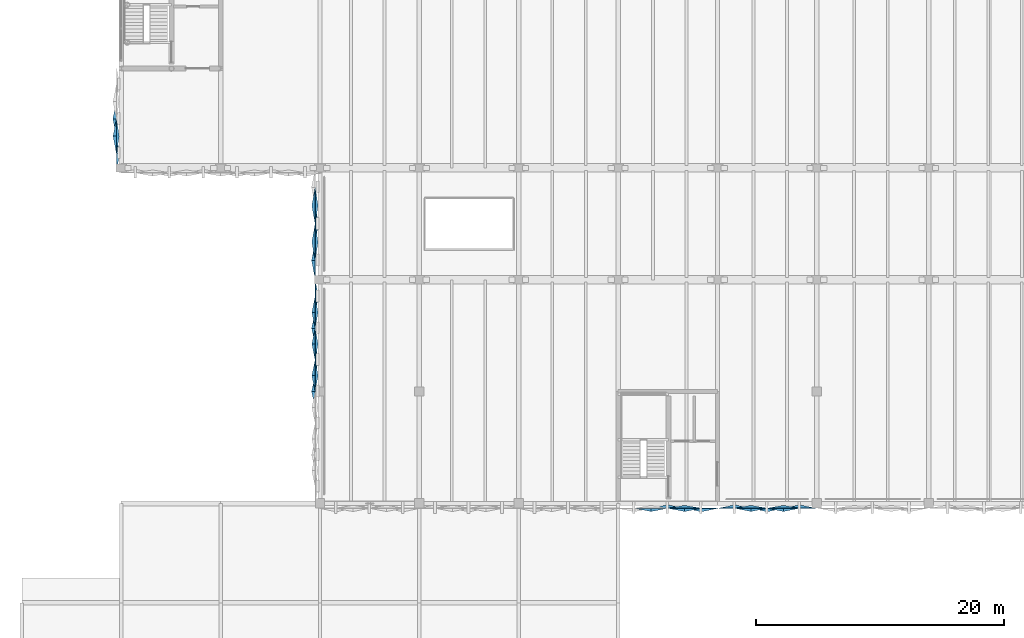
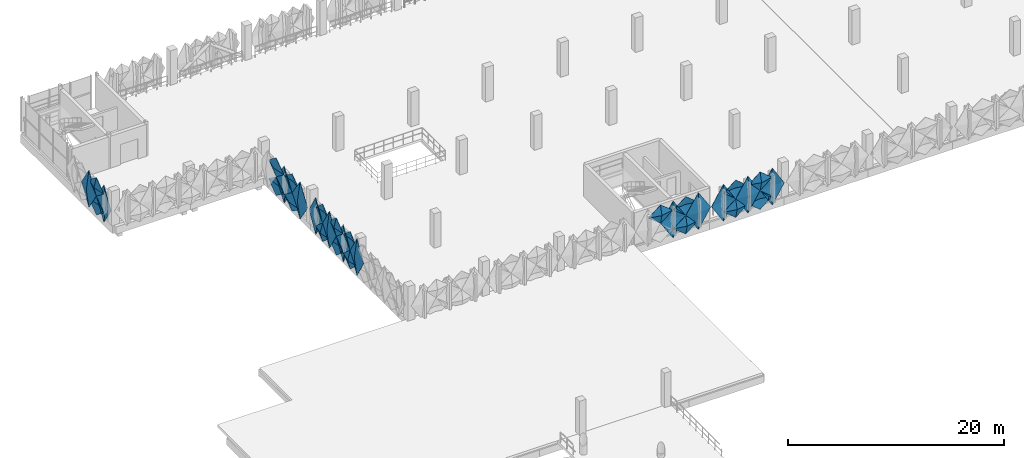
# One storey, part 53 of 76: 32 plates.
"""IFC4 building model written with IfcOpenShell, lengths in metres."""

from ifc_helpers import new_model, si_unit, derived_unit, direction, frame, origin, place, context, subcontext, project, spatial, polygons, material, layer, layer_set, type_object, element, save


model = new_model("IFC4")

# Units and contexts
model_context = context("Model", 3, precision=1e-05, world=origin(), true_north=direction((0.0, 1.0)))
body_context = subcontext(model_context, "Body", "Model", "MODEL_VIEW")
ifc_project = project(units=[si_unit("LENGTHUNIT", "METRE"), si_unit("AREAUNIT", "SQUARE_METRE"), si_unit("VOLUMEUNIT", "CUBIC_METRE"), si_unit("PLANEANGLEUNIT", "RADIAN"), si_unit("MASSUNIT", "GRAM", prefix="KILO"), si_unit("THERMODYNAMICTEMPERATUREUNIT", "KELVIN"), derived_unit("THERMALTRANSMITTANCEUNIT", [(si_unit("POWERUNIT", "WATT"), 1), (si_unit("AREAUNIT", "SQUARE_METRE"), -1), (si_unit("THERMODYNAMICTEMPERATUREUNIT", "KELVIN"), -1)])], contexts=[model_context])

# Site, building, storey
site_placement = place(None, origin())
site = spatial("IfcSite", under=ifc_project, at=site_placement, CompositionType="ELEMENT")
building_placement = place(site_placement, origin())
building = spatial("IfcBuilding", under=site, at=building_placement, Name="Haiyu Intermodal Mobility Hub", CompositionType="ELEMENT")
storey_placement = place(building_placement, frame((0.0, 0.0, 17.300048828125)))
storey = spatial("IfcBuildingStorey", under=building, at=storey_placement, Name="L04", CompositionType="ELEMENT", Elevation=17.300048828125)

# Plates
ifc_material = material(Name="Anodised aluminium 6063-T6", Category="aluminium")
ifc_layer_1 = layer(ifc_material, 0.01806640625)
ifc_layer_set_1 = layer_set([ifc_layer_1], Name="Anodised aluminium 6063-T6")
plate_type_1 = type_object("IfcPlateType", Name="PLT-FC01", PredefinedType="USERDEFINED", material=ifc_layer_set_1)
plate_1_placement = place(storey_placement, origin())
element("IfcPlate", 1, at=plate_1_placement, inside=storey, type_object=plate_type_1, Name="PLT-PYR-0579", ObjectType="FACADE CASSETTE", PredefinedType="USERDEFINED", context=body_context, shape_type="Tessellation", body=[
    polygons([(37.60009765625, 119.37109375, -0.52001953125), (37.60009765625, 118.116943359375, 0.530029296875), (37.60009765625, 119.37109375, 1.579833984375), (37.60009765625, 120.6259765625, 0.530029296875), (37.340087890625, 119.37109375, 0.530029296875), (37.6220703125, 119.37109375, -0.52001953125), (37.6220703125, 118.116943359375, 0.530029296875), (37.6220703125, 119.37109375, 1.579833984375), (37.6220703125, 120.6259765625, 0.530029296875), (37.362060546875, 119.37109375, 0.530029296875)], [[[1, 2, 5]], [[2, 3, 5]], [[3, 4, 5]], [[4, 1, 5]], [[7, 6, 10]], [[8, 7, 10]], [[9, 8, 10]], [[6, 9, 10]], [[1, 6, 7, 2]], [[2, 7, 8, 3]], [[3, 8, 9, 4]], [[4, 9, 6, 1]]], closed=True),
])
plate_2_placement = place(storey_placement, origin())
element("IfcPlate", 2, at=plate_2_placement, inside=storey, type_object=plate_type_1, Name="PLT-PYR-0585", ObjectType="FACADE CASSETTE", PredefinedType="USERDEFINED", context=body_context, shape_type="Tessellation", body=[
    polygons([(37.60009765625, 114.27392578125, -0.52001953125), (37.60009765625, 113.02001953125, 0.530029296875), (37.60009765625, 114.27392578125, 1.579833984375), (37.60009765625, 115.529052734375, 0.530029296875), (37.340087890625, 114.27392578125, 0.530029296875), (37.6220703125, 114.27392578125, -0.52001953125), (37.6220703125, 113.02001953125, 0.530029296875), (37.6220703125, 114.27392578125, 1.579833984375), (37.6220703125, 115.529052734375, 0.530029296875), (37.362060546875, 114.27392578125, 0.530029296875)], [[[1, 2, 5]], [[2, 3, 5]], [[3, 4, 5]], [[4, 1, 5]], [[7, 6, 10]], [[8, 7, 10]], [[9, 8, 10]], [[6, 9, 10]], [[1, 6, 7, 2]], [[2, 7, 8, 3]], [[3, 8, 9, 4]], [[4, 9, 6, 1]]], closed=True),
])
plate_3_placement = place(storey_placement, origin())
element("IfcPlate", 3, at=plate_3_placement, inside=storey, type_object=plate_type_1, Name="PLT-PYR-0641", ObjectType="FACADE CASSETTE", PredefinedType="USERDEFINED", context=body_context, shape_type="Tessellation", body=[
    polygons([(37.60009765625, 125.027099609375, -0.52001953125), (37.60009765625, 123.572998046875, 0.530029296875), (37.60009765625, 125.027099609375, 1.579833984375), (37.60009765625, 126.47998046875, 0.530029296875), (37.340087890625, 125.027099609375, 0.530029296875), (37.6220703125, 125.027099609375, -0.52001953125), (37.6220703125, 123.572998046875, 0.530029296875), (37.6220703125, 125.027099609375, 1.579833984375), (37.6220703125, 126.47998046875, 0.530029296875), (37.362060546875, 125.027099609375, 0.530029296875)], [[[1, 2, 5]], [[2, 3, 5]], [[3, 4, 5]], [[4, 1, 5]], [[7, 6, 10]], [[8, 7, 10]], [[9, 8, 10]], [[6, 9, 10]], [[1, 6, 7, 2]], [[2, 7, 8, 3]], [[3, 8, 9, 4]], [[4, 9, 6, 1]]], closed=True),
])
plate_4_placement = place(storey_placement, origin())
element("IfcPlate", 4, at=plate_4_placement, inside=storey, type_object=plate_type_1, Name="PLT-PYR-0769", ObjectType="FACADE CASSETTE", PredefinedType="USERDEFINED", context=body_context, shape_type="Tessellation", body=[
    polygons([(72.693115234375, 103.60009765625, -0.52001953125), (73.97998046875, 103.60009765625, 0.530029296875), (72.693115234375, 103.60009765625, 1.579833984375), (71.406982421875, 103.60009765625, 0.530029296875), (72.693115234375, 103.340087890625, 0.530029296875), (72.693115234375, 103.6220703125, -0.52001953125), (73.97998046875, 103.6220703125, 0.530029296875), (72.693115234375, 103.6220703125, 1.579833984375), (71.406982421875, 103.6220703125, 0.530029296875), (72.693115234375, 103.362060546875, 0.530029296875)], [[[1, 2, 5]], [[2, 3, 5]], [[3, 4, 5]], [[4, 1, 5]], [[7, 6, 10]], [[8, 7, 10]], [[9, 8, 10]], [[6, 9, 10]], [[1, 6, 7, 2]], [[2, 7, 8, 3]], [[3, 8, 9, 4]], [[4, 9, 6, 1]]], closed=True),
])
plate_5_placement = place(storey_placement, origin())
element("IfcPlate", 5, at=plate_5_placement, inside=storey, type_object=plate_type_1, Name="PLT-PYR-2236", ObjectType="FACADE CASSETTE", PredefinedType="USERDEFINED", context=body_context, shape_type="Tessellation", body=[
    polygons([(67.35009765625, 103.60009765625, -0.52001953125), (68.679931640625, 103.60009765625, 0.530029296875), (67.35009765625, 103.60009765625, 1.579833984375), (66.02001953125, 103.60009765625, 0.530029296875), (67.35009765625, 103.340087890625, 0.530029296875), (67.35009765625, 103.6220703125, -0.52001953125), (68.679931640625, 103.6220703125, 0.530029296875), (67.35009765625, 103.6220703125, 1.579833984375), (66.02001953125, 103.6220703125, 0.530029296875), (67.35009765625, 103.362060546875, 0.530029296875)], [[[1, 2, 5]], [[2, 3, 5]], [[3, 4, 5]], [[4, 1, 5]], [[7, 6, 10]], [[8, 7, 10]], [[9, 8, 10]], [[6, 9, 10]], [[1, 6, 7, 2]], [[2, 7, 8, 3]], [[3, 8, 9, 4]], [[4, 9, 6, 1]]], closed=True),
])
ifc_layer_2 = layer(ifc_material, 0.02001953125)
ifc_layer_set_2 = layer_set([ifc_layer_2], Name="Anodised aluminium 6063-T6")
plate_type_2 = type_object("IfcPlateType", Name="PLT-FC02", PredefinedType="USERDEFINED", material=ifc_layer_set_2)
plate_6_placement = place(storey_placement, origin())
element("IfcPlate", 6, at=plate_6_placement, inside=storey, type_object=plate_type_2, Name="PLT-PYR-0578", ObjectType="FACADE CASSETTE", PredefinedType="USERDEFINED", context=body_context, shape_type="Tessellation", body=[
    polygons([(37.60009765625, 120.64599609375, -0.510009765625), (37.60009765625, 119.39111328125, 1.599853515625), (37.60009765625, 120.64599609375, 3.7099609375), (37.60009765625, 121.89990234375, 1.599853515625), (37.860107421875, 120.64599609375, 1.599853515625), (37.6220703125, 120.64599609375, -0.510009765625), (37.6220703125, 119.39111328125, 1.599853515625), (37.6220703125, 120.64599609375, 3.7099609375), (37.6220703125, 121.89990234375, 1.599853515625), (37.882080078125, 120.64599609375, 1.599853515625)], [[[1, 2, 5]], [[2, 3, 5]], [[3, 4, 5]], [[4, 1, 5]], [[7, 6, 10]], [[8, 7, 10]], [[9, 8, 10]], [[6, 9, 10]], [[1, 6, 7, 2]], [[2, 7, 8, 3]], [[3, 8, 9, 4]], [[4, 9, 6, 1]]], closed=True),
])
plate_7_placement = place(storey_placement, origin())
element("IfcPlate", 7, at=plate_7_placement, inside=storey, type_object=plate_type_2, Name="PLT-PYR-0582", ObjectType="FACADE CASSETTE", PredefinedType="USERDEFINED", context=body_context, shape_type="Tessellation", body=[
    polygons([(37.60009765625, 116.822998046875, -0.52001953125), (37.60009765625, 115.569091796875, 0.530029296875), (37.60009765625, 116.822998046875, 1.579833984375), (37.60009765625, 118.076904296875, 0.530029296875), (37.820068359375, 116.822998046875, 0.530029296875), (37.6220703125, 116.822998046875, -0.52001953125), (37.6220703125, 115.569091796875, 0.530029296875), (37.6220703125, 116.822998046875, 1.579833984375), (37.6220703125, 118.076904296875, 0.530029296875), (37.842041015625, 116.822998046875, 0.530029296875)], [[[1, 2, 5]], [[2, 3, 5]], [[3, 4, 5]], [[4, 1, 5]], [[7, 6, 10]], [[8, 7, 10]], [[9, 8, 10]], [[6, 9, 10]], [[1, 6, 7, 2]], [[2, 7, 8, 3]], [[3, 8, 9, 4]], [[4, 9, 6, 1]]], closed=True),
])
plate_8_placement = place(storey_placement, origin())
element("IfcPlate", 8, at=plate_8_placement, inside=storey, type_object=plate_type_2, Name="PLT-PYR-0638", ObjectType="FACADE CASSETTE", PredefinedType="USERDEFINED", context=body_context, shape_type="Tessellation", body=[
    polygons([(37.60009765625, 127.972900390625, -0.52001953125), (37.60009765625, 126.52001953125, 0.530029296875), (37.60009765625, 127.972900390625, 1.579833984375), (37.60009765625, 129.427001953125, 0.530029296875), (37.820068359375, 127.972900390625, 0.530029296875), (37.6220703125, 127.972900390625, -0.52001953125), (37.6220703125, 126.52001953125, 0.530029296875), (37.6220703125, 127.972900390625, 1.579833984375), (37.6220703125, 129.427001953125, 0.530029296875), (37.842041015625, 127.972900390625, 0.530029296875)], [[[1, 2, 5]], [[2, 3, 5]], [[3, 4, 5]], [[4, 1, 5]], [[7, 6, 10]], [[8, 7, 10]], [[9, 8, 10]], [[6, 9, 10]], [[1, 6, 7, 2]], [[2, 7, 8, 3]], [[3, 8, 9, 4]], [[4, 9, 6, 1]]], closed=True),
])
plate_9_placement = place(storey_placement, origin())
element("IfcPlate", 9, at=plate_9_placement, inside=storey, type_object=plate_type_2, Name="PLT-PYR-0768", ObjectType="FACADE CASSETTE", PredefinedType="USERDEFINED", context=body_context, shape_type="Tessellation", body=[
    polygons([(71.386962890625, 103.60009765625, -0.510009765625), (72.673095703125, 103.60009765625, 1.599853515625), (71.386962890625, 103.60009765625, 3.7099609375), (70.10009765625, 103.60009765625, 1.599853515625), (71.386962890625, 103.860107421875, 1.599853515625), (71.386962890625, 103.6220703125, -0.510009765625), (72.673095703125, 103.6220703125, 1.599853515625), (71.386962890625, 103.6220703125, 3.7099609375), (70.10009765625, 103.6220703125, 1.599853515625), (71.386962890625, 103.882080078125, 1.599853515625)], [[[1, 2, 5]], [[2, 3, 5]], [[3, 4, 5]], [[4, 1, 5]], [[7, 6, 10]], [[8, 7, 10]], [[9, 8, 10]], [[6, 9, 10]], [[1, 6, 7, 2]], [[2, 7, 8, 3]], [[3, 8, 9, 4]], [[4, 9, 6, 1]]], closed=True),
])
plate_10_placement = place(storey_placement, origin())
element("IfcPlate", 10, at=plate_10_placement, inside=storey, type_object=plate_type_2, Name="PLT-PYR-0772", ObjectType="FACADE CASSETTE", PredefinedType="USERDEFINED", context=body_context, shape_type="Tessellation", body=[
    polygons([(75.306884765625, 103.60009765625, -0.52001953125), (76.593017578125, 103.60009765625, 0.530029296875), (75.306884765625, 103.60009765625, 1.579833984375), (74.02001953125, 103.60009765625, 0.530029296875), (75.306884765625, 103.820068359375, 0.530029296875), (75.306884765625, 103.6220703125, -0.52001953125), (76.593017578125, 103.6220703125, 0.530029296875), (75.306884765625, 103.6220703125, 1.579833984375), (74.02001953125, 103.6220703125, 0.530029296875), (75.306884765625, 103.842041015625, 0.530029296875)], [[[1, 2, 5]], [[2, 3, 5]], [[3, 4, 5]], [[4, 1, 5]], [[7, 6, 10]], [[8, 7, 10]], [[9, 8, 10]], [[6, 9, 10]], [[1, 6, 7, 2]], [[2, 7, 8, 3]], [[3, 8, 9, 4]], [[4, 9, 6, 1]]], closed=True),
])
plate_11_placement = place(storey_placement, origin())
element("IfcPlate", 11, at=plate_11_placement, inside=storey, type_object=plate_type_2, Name="PLT-PYR-2313", ObjectType="FACADE CASSETTE", PredefinedType="USERDEFINED", context=body_context, shape_type="Tessellation", body=[
    polygons([(21.60009765625, 133.56689453125, -0.52001953125), (21.60009765625, 132.202880859375, 0.530029296875), (21.60009765625, 133.56689453125, 1.579833984375), (21.60009765625, 134.929931640625, 0.530029296875), (21.820068359375, 133.56689453125, 0.530029296875), (21.6220703125, 133.56689453125, -0.52001953125), (21.6220703125, 132.202880859375, 0.530029296875), (21.6220703125, 133.56689453125, 1.579833984375), (21.6220703125, 134.929931640625, 0.530029296875), (21.842041015625, 133.56689453125, 0.530029296875)], [[[1, 2, 5]], [[2, 3, 5]], [[3, 4, 5]], [[4, 1, 5]], [[7, 6, 10]], [[8, 7, 10]], [[9, 8, 10]], [[6, 9, 10]], [[1, 6, 7, 2]], [[2, 7, 8, 3]], [[3, 8, 9, 4]], [[4, 9, 6, 1]]], closed=True),
])
ifc_layer_3 = layer(ifc_material, 0.01806640625)
ifc_layer_set_3 = layer_set([ifc_layer_3], Name="Anodised aluminium 6063-T6")
plate_type_3 = type_object("IfcPlateType", Name="PLT-FC03", PredefinedType="USERDEFINED", material=ifc_layer_set_3)
plate_12_placement = place(storey_placement, origin())
element("IfcPlate", 12, at=plate_12_placement, inside=storey, type_object=plate_type_3, Name="PLT-PYR-0581", ObjectType="FACADE CASSETTE", PredefinedType="USERDEFINED", context=body_context, shape_type="Tessellation", body=[
    polygons([(37.60009765625, 118.096923828125, -0.510009765625), (37.60009765625, 116.843017578125, 1.599853515625), (37.60009765625, 118.096923828125, 3.7099609375), (37.60009765625, 119.35107421875, 1.599853515625), (37.320068359375, 118.096923828125, 1.599853515625), (37.6220703125, 118.096923828125, -0.510009765625), (37.6220703125, 116.843017578125, 1.599853515625), (37.6220703125, 118.096923828125, 3.7099609375), (37.6220703125, 119.35107421875, 1.599853515625), (37.342041015625, 118.096923828125, 1.599853515625)], [[[1, 2, 5]], [[2, 3, 5]], [[3, 4, 5]], [[4, 1, 5]], [[7, 6, 10]], [[8, 7, 10]], [[9, 8, 10]], [[6, 9, 10]], [[1, 6, 7, 2]], [[2, 7, 8, 3]], [[3, 8, 9, 4]], [[4, 9, 6, 1]]], closed=True),
])
plate_13_placement = place(storey_placement, origin())
element("IfcPlate", 13, at=plate_13_placement, inside=storey, type_object=plate_type_3, Name="PLT-PYR-0583", ObjectType="FACADE CASSETTE", PredefinedType="USERDEFINED", context=body_context, shape_type="Tessellation", body=[
    polygons([(37.60009765625, 116.822998046875, 1.619873046875), (37.60009765625, 115.569091796875, 2.669921875), (37.60009765625, 116.822998046875, 3.719970703125), (37.60009765625, 118.076904296875, 2.669921875), (37.340087890625, 116.822998046875, 2.669921875), (37.6220703125, 116.822998046875, 1.619873046875), (37.6220703125, 115.569091796875, 2.669921875), (37.6220703125, 116.822998046875, 3.719970703125), (37.6220703125, 118.076904296875, 2.669921875), (37.362060546875, 116.822998046875, 2.669921875)], [[[1, 2, 5]], [[2, 3, 5]], [[3, 4, 5]], [[4, 1, 5]], [[7, 6, 10]], [[8, 7, 10]], [[9, 8, 10]], [[6, 9, 10]], [[1, 6, 7, 2]], [[2, 7, 8, 3]], [[3, 8, 9, 4]], [[4, 9, 6, 1]]], closed=True),
])
plate_14_placement = place(storey_placement, origin())
element("IfcPlate", 14, at=plate_14_placement, inside=storey, type_object=plate_type_3, Name="PLT-PYR-0639", ObjectType="FACADE CASSETTE", PredefinedType="USERDEFINED", context=body_context, shape_type="Tessellation", body=[
    polygons([(37.60009765625, 127.972900390625, 1.619873046875), (37.60009765625, 126.52001953125, 2.669921875), (37.60009765625, 127.972900390625, 3.719970703125), (37.60009765625, 129.427001953125, 2.669921875), (37.340087890625, 127.972900390625, 2.669921875), (37.6220703125, 127.972900390625, 1.619873046875), (37.6220703125, 126.52001953125, 2.669921875), (37.6220703125, 127.972900390625, 3.719970703125), (37.6220703125, 129.427001953125, 2.669921875), (37.362060546875, 127.972900390625, 2.669921875)], [[[1, 2, 5]], [[2, 3, 5]], [[3, 4, 5]], [[4, 1, 5]], [[7, 6, 10]], [[8, 7, 10]], [[9, 8, 10]], [[6, 9, 10]], [[1, 6, 7, 2]], [[2, 7, 8, 3]], [[3, 8, 9, 4]], [[4, 9, 6, 1]]], closed=True),
])
plate_15_placement = place(storey_placement, origin())
element("IfcPlate", 15, at=plate_15_placement, inside=storey, type_object=plate_type_3, Name="PLT-PYR-0771", ObjectType="FACADE CASSETTE", PredefinedType="USERDEFINED", context=body_context, shape_type="Tessellation", body=[
    polygons([(74.0, 103.60009765625, -0.510009765625), (75.287109375, 103.60009765625, 1.599853515625), (74.0, 103.60009765625, 3.7099609375), (72.712890625, 103.60009765625, 1.599853515625), (74.0, 103.320068359375, 1.599853515625), (74.0, 103.6220703125, -0.510009765625), (75.287109375, 103.6220703125, 1.599853515625), (74.0, 103.6220703125, 3.7099609375), (72.712890625, 103.6220703125, 1.599853515625), (74.0, 103.342041015625, 1.599853515625)], [[[1, 2, 5]], [[2, 3, 5]], [[3, 4, 5]], [[4, 1, 5]], [[7, 6, 10]], [[8, 7, 10]], [[9, 8, 10]], [[6, 9, 10]], [[1, 6, 7, 2]], [[2, 7, 8, 3]], [[3, 8, 9, 4]], [[4, 9, 6, 1]]], closed=True),
])
plate_16_placement = place(storey_placement, origin())
element("IfcPlate", 16, at=plate_16_placement, inside=storey, type_object=plate_type_3, Name="PLT-PYR-0773", ObjectType="FACADE CASSETTE", PredefinedType="USERDEFINED", context=body_context, shape_type="Tessellation", body=[
    polygons([(75.306884765625, 103.60009765625, 1.619873046875), (76.593017578125, 103.60009765625, 2.669921875), (75.306884765625, 103.60009765625, 3.719970703125), (74.02001953125, 103.60009765625, 2.669921875), (75.306884765625, 103.340087890625, 2.669921875), (75.306884765625, 103.6220703125, 1.619873046875), (76.593017578125, 103.6220703125, 2.669921875), (75.306884765625, 103.6220703125, 3.719970703125), (74.02001953125, 103.6220703125, 2.669921875), (75.306884765625, 103.362060546875, 2.669921875)], [[[1, 2, 5]], [[2, 3, 5]], [[3, 4, 5]], [[4, 1, 5]], [[7, 6, 10]], [[8, 7, 10]], [[9, 8, 10]], [[6, 9, 10]], [[1, 6, 7, 2]], [[2, 7, 8, 3]], [[3, 8, 9, 4]], [[4, 9, 6, 1]]], closed=True),
])
plate_17_placement = place(storey_placement, origin())
element("IfcPlate", 17, at=plate_17_placement, inside=storey, type_object=plate_type_3, Name="PLT-PYR-2234", ObjectType="FACADE CASSETTE", PredefinedType="USERDEFINED", context=body_context, shape_type="Tessellation", body=[
    polygons([(64.64990234375, 103.60009765625, 1.619873046875), (65.97998046875, 103.60009765625, 2.669921875), (64.64990234375, 103.60009765625, 3.719970703125), (63.320068359375, 103.60009765625, 2.669921875), (64.64990234375, 103.340087890625, 2.669921875), (64.64990234375, 103.6220703125, 1.619873046875), (65.97998046875, 103.6220703125, 2.669921875), (64.64990234375, 103.6220703125, 3.719970703125), (63.320068359375, 103.6220703125, 2.669921875), (64.64990234375, 103.362060546875, 2.669921875)], [[[1, 2, 5]], [[2, 3, 5]], [[3, 4, 5]], [[4, 1, 5]], [[7, 6, 10]], [[8, 7, 10]], [[9, 8, 10]], [[6, 9, 10]], [[1, 6, 7, 2]], [[2, 7, 8, 3]], [[3, 8, 9, 4]], [[4, 9, 6, 1]]], closed=True),
])
plate_18_placement = place(storey_placement, origin())
element("IfcPlate", 18, at=plate_18_placement, inside=storey, type_object=plate_type_3, Name="PLT-PYR-2312", ObjectType="FACADE CASSETTE", PredefinedType="USERDEFINED", context=body_context, shape_type="Tessellation", body=[
    polygons([(21.60009765625, 134.949951171875, -0.510009765625), (21.60009765625, 133.5869140625, 1.599853515625), (21.60009765625, 134.949951171875, 3.7099609375), (21.60009765625, 136.31298828125, 1.599853515625), (21.320068359375, 134.949951171875, 1.599853515625), (21.6220703125, 134.949951171875, -0.510009765625), (21.6220703125, 133.5869140625, 1.599853515625), (21.6220703125, 134.949951171875, 3.7099609375), (21.6220703125, 136.31298828125, 1.599853515625), (21.342041015625, 134.949951171875, 1.599853515625)], [[[1, 2, 5]], [[2, 3, 5]], [[3, 4, 5]], [[4, 1, 5]], [[7, 6, 10]], [[8, 7, 10]], [[9, 8, 10]], [[6, 9, 10]], [[1, 6, 7, 2]], [[2, 7, 8, 3]], [[3, 8, 9, 4]], [[4, 9, 6, 1]]], closed=True),
])
plate_19_placement = place(storey_placement, origin())
element("IfcPlate", 19, at=plate_19_placement, inside=storey, type_object=plate_type_3, Name="PLT-PYR-2314", ObjectType="FACADE CASSETTE", PredefinedType="USERDEFINED", context=body_context, shape_type="Tessellation", body=[
    polygons([(21.60009765625, 133.56689453125, 1.619873046875), (21.60009765625, 132.202880859375, 2.669921875), (21.60009765625, 133.56689453125, 3.719970703125), (21.60009765625, 134.929931640625, 2.669921875), (21.340087890625, 133.56689453125, 2.669921875), (21.6220703125, 133.56689453125, 1.619873046875), (21.6220703125, 132.202880859375, 2.669921875), (21.6220703125, 133.56689453125, 3.719970703125), (21.6220703125, 134.929931640625, 2.669921875), (21.362060546875, 133.56689453125, 2.669921875)], [[[1, 2, 5]], [[2, 3, 5]], [[3, 4, 5]], [[4, 1, 5]], [[7, 6, 10]], [[8, 7, 10]], [[9, 8, 10]], [[6, 9, 10]], [[1, 6, 7, 2]], [[2, 7, 8, 3]], [[3, 8, 9, 4]], [[4, 9, 6, 1]]], closed=True),
])
ifc_layer_4 = layer(ifc_material, 0.02001953125)
ifc_layer_set_4 = layer_set([ifc_layer_4], Name="Anodised aluminium 6063-T6")
plate_type_4 = type_object("IfcPlateType", Name="PLT-FC04", PredefinedType="USERDEFINED", material=ifc_layer_set_4)
plate_20_placement = place(storey_placement, origin())
element("IfcPlate", 20, at=plate_20_placement, inside=storey, type_object=plate_type_4, Name="PLT-PYR-0580", ObjectType="FACADE CASSETTE", PredefinedType="USERDEFINED", context=body_context, shape_type="Tessellation", body=[
    polygons([(37.60009765625, 119.37109375, 1.619873046875), (37.60009765625, 118.116943359375, 2.669921875), (37.60009765625, 119.37109375, 3.719970703125), (37.60009765625, 120.6259765625, 2.669921875), (37.820068359375, 119.37109375, 2.669921875), (37.6220703125, 119.37109375, 1.619873046875), (37.6220703125, 118.116943359375, 2.669921875), (37.6220703125, 119.37109375, 3.719970703125), (37.6220703125, 120.6259765625, 2.669921875), (37.842041015625, 119.37109375, 2.669921875)], [[[1, 2, 5]], [[2, 3, 5]], [[3, 4, 5]], [[4, 1, 5]], [[7, 6, 10]], [[8, 7, 10]], [[9, 8, 10]], [[6, 9, 10]], [[1, 6, 7, 2]], [[2, 7, 8, 3]], [[3, 8, 9, 4]], [[4, 9, 6, 1]]], closed=True),
])
plate_21_placement = place(storey_placement, origin())
element("IfcPlate", 21, at=plate_21_placement, inside=storey, type_object=plate_type_4, Name="PLT-PYR-0586", ObjectType="FACADE CASSETTE", PredefinedType="USERDEFINED", context=body_context, shape_type="Tessellation", body=[
    polygons([(37.60009765625, 114.27392578125, 1.619873046875), (37.60009765625, 113.02001953125, 2.669921875), (37.60009765625, 114.27392578125, 3.719970703125), (37.60009765625, 115.529052734375, 2.669921875), (37.820068359375, 114.27392578125, 2.669921875), (37.6220703125, 114.27392578125, 1.619873046875), (37.6220703125, 113.02001953125, 2.669921875), (37.6220703125, 114.27392578125, 3.719970703125), (37.6220703125, 115.529052734375, 2.669921875), (37.842041015625, 114.27392578125, 2.669921875)], [[[1, 2, 5]], [[2, 3, 5]], [[3, 4, 5]], [[4, 1, 5]], [[7, 6, 10]], [[8, 7, 10]], [[9, 8, 10]], [[6, 9, 10]], [[1, 6, 7, 2]], [[2, 7, 8, 3]], [[3, 8, 9, 4]], [[4, 9, 6, 1]]], closed=True),
])
plate_22_placement = place(storey_placement, origin())
element("IfcPlate", 22, at=plate_22_placement, inside=storey, type_object=plate_type_4, Name="PLT-PYR-0640", ObjectType="FACADE CASSETTE", PredefinedType="USERDEFINED", context=body_context, shape_type="Tessellation", body=[
    polygons([(37.60009765625, 126.5, -0.510009765625), (37.60009765625, 125.047119140625, 1.599853515625), (37.60009765625, 126.5, 3.7099609375), (37.60009765625, 127.952880859375, 1.599853515625), (37.860107421875, 126.5, 1.599853515625), (37.6220703125, 126.5, -0.510009765625), (37.6220703125, 125.047119140625, 1.599853515625), (37.6220703125, 126.5, 3.7099609375), (37.6220703125, 127.952880859375, 1.599853515625), (37.882080078125, 126.5, 1.599853515625)], [[[1, 2, 5]], [[2, 3, 5]], [[3, 4, 5]], [[4, 1, 5]], [[7, 6, 10]], [[8, 7, 10]], [[9, 8, 10]], [[6, 9, 10]], [[1, 6, 7, 2]], [[2, 7, 8, 3]], [[3, 8, 9, 4]], [[4, 9, 6, 1]]], closed=True),
])
plate_23_placement = place(storey_placement, origin())
element("IfcPlate", 23, at=plate_23_placement, inside=storey, type_object=plate_type_4, Name="PLT-PYR-0642", ObjectType="FACADE CASSETTE", PredefinedType="USERDEFINED", context=body_context, shape_type="Tessellation", body=[
    polygons([(37.60009765625, 125.027099609375, 1.619873046875), (37.60009765625, 123.572998046875, 2.669921875), (37.60009765625, 125.027099609375, 3.719970703125), (37.60009765625, 126.47998046875, 2.669921875), (37.820068359375, 125.027099609375, 2.669921875), (37.6220703125, 125.027099609375, 1.619873046875), (37.6220703125, 123.572998046875, 2.669921875), (37.6220703125, 125.027099609375, 3.719970703125), (37.6220703125, 126.47998046875, 2.669921875), (37.842041015625, 125.027099609375, 2.669921875)], [[[1, 2, 5]], [[2, 3, 5]], [[3, 4, 5]], [[4, 1, 5]], [[7, 6, 10]], [[8, 7, 10]], [[9, 8, 10]], [[6, 9, 10]], [[1, 6, 7, 2]], [[2, 7, 8, 3]], [[3, 8, 9, 4]], [[4, 9, 6, 1]]], closed=True),
])
plate_24_placement = place(storey_placement, origin())
element("IfcPlate", 24, at=plate_24_placement, inside=storey, type_object=plate_type_4, Name="PLT-PYR-0770", ObjectType="FACADE CASSETTE", PredefinedType="USERDEFINED", context=body_context, shape_type="Tessellation", body=[
    polygons([(72.693115234375, 103.60009765625, 1.619873046875), (73.97998046875, 103.60009765625, 2.669921875), (72.693115234375, 103.60009765625, 3.719970703125), (71.406982421875, 103.60009765625, 2.669921875), (72.693115234375, 103.820068359375, 2.669921875), (72.693115234375, 103.6220703125, 1.619873046875), (73.97998046875, 103.6220703125, 2.669921875), (72.693115234375, 103.6220703125, 3.719970703125), (71.406982421875, 103.6220703125, 2.669921875), (72.693115234375, 103.842041015625, 2.669921875)], [[[1, 2, 5]], [[2, 3, 5]], [[3, 4, 5]], [[4, 1, 5]], [[7, 6, 10]], [[8, 7, 10]], [[9, 8, 10]], [[6, 9, 10]], [[1, 6, 7, 2]], [[2, 7, 8, 3]], [[3, 8, 9, 4]], [[4, 9, 6, 1]]], closed=True),
])
plate_25_placement = place(storey_placement, origin())
element("IfcPlate", 25, at=plate_25_placement, inside=storey, type_object=plate_type_4, Name="PLT-PYR-2235", ObjectType="FACADE CASSETTE", PredefinedType="USERDEFINED", context=body_context, shape_type="Tessellation", body=[
    polygons([(66.0, 103.60009765625, -0.510009765625), (67.330078125, 103.60009765625, 1.599853515625), (66.0, 103.60009765625, 3.7099609375), (64.669921875, 103.60009765625, 1.599853515625), (66.0, 103.860107421875, 1.599853515625), (66.0, 103.6220703125, -0.510009765625), (67.330078125, 103.6220703125, 1.599853515625), (66.0, 103.6220703125, 3.7099609375), (64.669921875, 103.6220703125, 1.599853515625), (66.0, 103.882080078125, 1.599853515625)], [[[1, 2, 5]], [[2, 3, 5]], [[3, 4, 5]], [[4, 1, 5]], [[7, 6, 10]], [[8, 7, 10]], [[9, 8, 10]], [[6, 9, 10]], [[1, 6, 7, 2]], [[2, 7, 8, 3]], [[3, 8, 9, 4]], [[4, 9, 6, 1]]], closed=True),
])
plate_26_placement = place(storey_placement, origin())
element("IfcPlate", 26, at=plate_26_placement, inside=storey, type_object=plate_type_4, Name="PLT-PYR-2237", ObjectType="FACADE CASSETTE", PredefinedType="USERDEFINED", context=body_context, shape_type="Tessellation", body=[
    polygons([(67.35009765625, 103.60009765625, 1.619873046875), (68.679931640625, 103.60009765625, 2.669921875), (67.35009765625, 103.60009765625, 3.719970703125), (66.02001953125, 103.60009765625, 2.669921875), (67.35009765625, 103.820068359375, 2.669921875), (67.35009765625, 103.6220703125, 1.619873046875), (68.679931640625, 103.6220703125, 2.669921875), (67.35009765625, 103.6220703125, 3.719970703125), (66.02001953125, 103.6220703125, 2.669921875), (67.35009765625, 103.842041015625, 2.669921875)], [[[1, 2, 5]], [[2, 3, 5]], [[3, 4, 5]], [[4, 1, 5]], [[7, 6, 10]], [[8, 7, 10]], [[9, 8, 10]], [[6, 9, 10]], [[1, 6, 7, 2]], [[2, 7, 8, 3]], [[3, 8, 9, 4]], [[4, 9, 6, 1]]], closed=True),
])
ifc_layer_5 = layer(ifc_material, 0.01806640625)
ifc_layer_set_5 = layer_set([ifc_layer_5], Name="Anodised aluminium 6063-T6")
plate_type_5 = type_object("IfcPlateType", Name="PLT-FC05", PredefinedType="USERDEFINED", material=ifc_layer_set_5)
plate_27_placement = place(storey_placement, origin())
element("IfcPlate", 27, at=plate_27_placement, inside=storey, type_object=plate_type_5, Name="PLT-PYR-0643", ObjectType="FACADE CASSETTE", PredefinedType="USERDEFINED", context=body_context, shape_type="Tessellation", body=[
    polygons([(37.60009765625, 123.552978515625, -0.510009765625), (37.60009765625, 122.10009765625, 1.599853515625), (37.60009765625, 123.552978515625, 3.7099609375), (37.60009765625, 125.007080078125, 1.599853515625), (37.320068359375, 123.552978515625, 1.599853515625), (37.6220703125, 123.552978515625, -0.510009765625), (37.6220703125, 122.10009765625, 1.599853515625), (37.6220703125, 123.552978515625, 3.7099609375), (37.6220703125, 125.007080078125, 1.599853515625), (37.342041015625, 123.552978515625, 1.599853515625)], [[[1, 2, 5]], [[2, 3, 5]], [[3, 4, 5]], [[4, 1, 5]], [[7, 6, 10]], [[8, 7, 10]], [[9, 8, 10]], [[6, 9, 10]], [[1, 6, 7, 2]], [[2, 7, 8, 3]], [[3, 8, 9, 4]], [[4, 9, 6, 1]]], closed=True),
])
plate_28_placement = place(storey_placement, origin())
element("IfcPlate", 28, at=plate_28_placement, inside=storey, type_object=plate_type_5, Name="PLT-PYR-2238", ObjectType="FACADE CASSETTE", PredefinedType="USERDEFINED", context=body_context, shape_type="Tessellation", body=[
    polygons([(68.699951171875, 103.60009765625, -0.510009765625), (70.030029296875, 103.60009765625, 1.599853515625), (68.699951171875, 103.60009765625, 3.7099609375), (67.3701171875, 103.60009765625, 1.599853515625), (68.699951171875, 103.320068359375, 1.599853515625), (68.699951171875, 103.6220703125, -0.510009765625), (70.030029296875, 103.6220703125, 1.599853515625), (68.699951171875, 103.6220703125, 3.7099609375), (67.3701171875, 103.6220703125, 1.599853515625), (68.699951171875, 103.342041015625, 1.599853515625)], [[[1, 2, 5]], [[2, 3, 5]], [[3, 4, 5]], [[4, 1, 5]], [[7, 6, 10]], [[8, 7, 10]], [[9, 8, 10]], [[6, 9, 10]], [[1, 6, 7, 2]], [[2, 7, 8, 3]], [[3, 8, 9, 4]], [[4, 9, 6, 1]]], closed=True),
])
ifc_layer_6 = layer(ifc_material, 0.02001953125)
ifc_layer_set_6 = layer_set([ifc_layer_6], Name="Anodised aluminium 6063-T6")
plate_type_6 = type_object("IfcPlateType", Name="PLT-FC06", PredefinedType="USERDEFINED", material=ifc_layer_set_6)
plate_29_placement = place(storey_placement, origin())
element("IfcPlate", 29, at=plate_29_placement, inside=storey, type_object=plate_type_6, Name="PLT-PYR-0584", ObjectType="FACADE CASSETTE", PredefinedType="USERDEFINED", context=body_context, shape_type="Tessellation", body=[
    polygons([(37.60009765625, 115.549072265625, -0.510009765625), (37.60009765625, 114.2939453125, 1.599853515625), (37.60009765625, 115.549072265625, 3.7099609375), (37.60009765625, 116.802978515625, 1.599853515625), (37.860107421875, 115.549072265625, 1.599853515625), (37.6220703125, 115.549072265625, -0.510009765625), (37.6220703125, 114.2939453125, 1.599853515625), (37.6220703125, 115.549072265625, 3.7099609375), (37.6220703125, 116.802978515625, 1.599853515625), (37.882080078125, 115.549072265625, 1.599853515625)], [[[1, 2, 5]], [[2, 3, 5]], [[3, 4, 5]], [[4, 1, 5]], [[7, 6, 10]], [[8, 7, 10]], [[9, 8, 10]], [[6, 9, 10]], [[1, 6, 7, 2]], [[2, 7, 8, 3]], [[3, 8, 9, 4]], [[4, 9, 6, 1]]], closed=True),
])
plate_30_placement = place(storey_placement, origin())
element("IfcPlate", 30, at=plate_30_placement, inside=storey, type_object=plate_type_6, Name="PLT-PYR-0774", ObjectType="FACADE CASSETTE", PredefinedType="USERDEFINED", context=body_context, shape_type="Tessellation", body=[
    polygons([(76.613037109375, 103.60009765625, -0.510009765625), (77.89990234375, 103.60009765625, 1.599853515625), (76.613037109375, 103.60009765625, 3.7099609375), (75.326904296875, 103.60009765625, 1.599853515625), (76.613037109375, 103.860107421875, 1.599853515625), (76.613037109375, 103.6220703125, -0.510009765625), (77.89990234375, 103.6220703125, 1.599853515625), (76.613037109375, 103.6220703125, 3.7099609375), (75.326904296875, 103.6220703125, 1.599853515625), (76.613037109375, 103.882080078125, 1.599853515625)], [[[1, 2, 5]], [[2, 3, 5]], [[3, 4, 5]], [[4, 1, 5]], [[7, 6, 10]], [[8, 7, 10]], [[9, 8, 10]], [[6, 9, 10]], [[1, 6, 7, 2]], [[2, 7, 8, 3]], [[3, 8, 9, 4]], [[4, 9, 6, 1]]], closed=True),
])
plate_31_placement = place(storey_placement, origin())
element("IfcPlate", 31, at=plate_31_placement, inside=storey, type_object=plate_type_6, Name="PLT-PYR-2315", ObjectType="FACADE CASSETTE", PredefinedType="USERDEFINED", context=body_context, shape_type="Tessellation", body=[
    polygons([(21.60009765625, 132.18310546875, -0.510009765625), (21.60009765625, 130.820068359375, 1.599853515625), (21.60009765625, 132.18310546875, 3.7099609375), (21.60009765625, 133.547119140625, 1.599853515625), (21.860107421875, 132.18310546875, 1.599853515625), (21.6220703125, 132.18310546875, -0.510009765625), (21.6220703125, 130.820068359375, 1.599853515625), (21.6220703125, 132.18310546875, 3.7099609375), (21.6220703125, 133.547119140625, 1.599853515625), (21.882080078125, 132.18310546875, 1.599853515625)], [[[1, 2, 5]], [[2, 3, 5]], [[3, 4, 5]], [[4, 1, 5]], [[7, 6, 10]], [[8, 7, 10]], [[9, 8, 10]], [[6, 9, 10]], [[1, 6, 7, 2]], [[2, 7, 8, 3]], [[3, 8, 9, 4]], [[4, 9, 6, 1]]], closed=True),
])
ifc_layer_7 = layer(ifc_material, 0.02197265625)
ifc_layer_set_7 = layer_set([ifc_layer_7], Name="Anodised aluminium 6063-T6")
plate_type_7 = type_object("IfcPlateType", Name="PLT-FC07", PredefinedType="USERDEFINED", material=ifc_layer_set_7)
plate_32_placement = place(storey_placement, origin())
element("IfcPlate", 32, at=plate_32_placement, inside=storey, type_object=plate_type_7, Name="PLT-PYR-0587", ObjectType="FACADE CASSETTE", PredefinedType="USERDEFINED", context=body_context, shape_type="Tessellation", body=[
    polygons([(37.60009765625, 113.0, -0.510009765625), (37.60009765625, 111.74609375, 1.599853515625), (37.60009765625, 113.0, 3.7099609375), (37.60009765625, 114.25390625, 1.599853515625), (37.320068359375, 113.0, 1.599853515625), (37.6220703125, 113.0, -0.510009765625), (37.6220703125, 111.74609375, 1.599853515625), (37.6220703125, 113.0, 3.7099609375), (37.6220703125, 114.25390625, 1.599853515625), (37.342041015625, 113.0, 1.599853515625)], [[[1, 2, 5]], [[2, 3, 5]], [[3, 4, 5]], [[4, 1, 5]], [[7, 6, 10]], [[8, 7, 10]], [[9, 8, 10]], [[6, 9, 10]], [[1, 6, 7, 2]], [[2, 7, 8, 3]], [[3, 8, 9, 4]], [[4, 9, 6, 1]]], closed=True),
])

save(model, "model.ifc")
